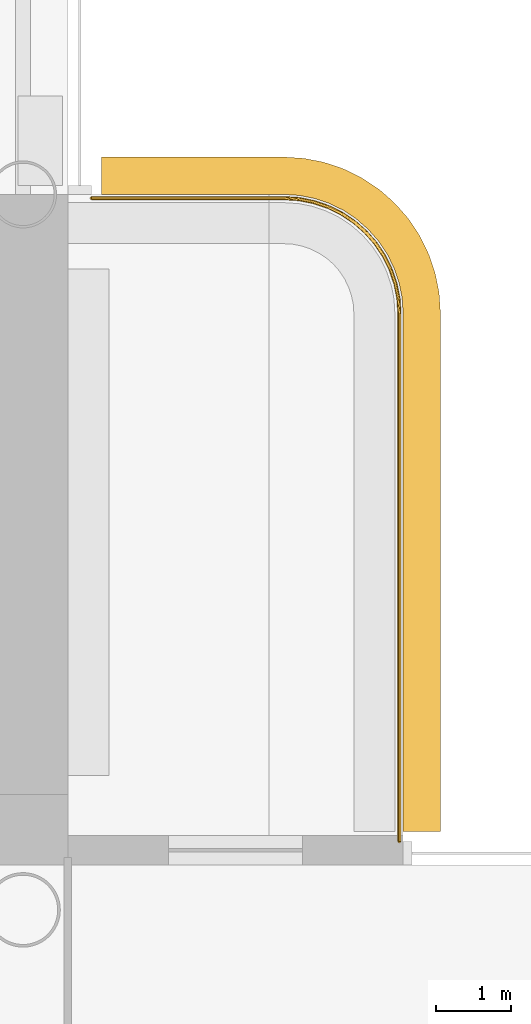
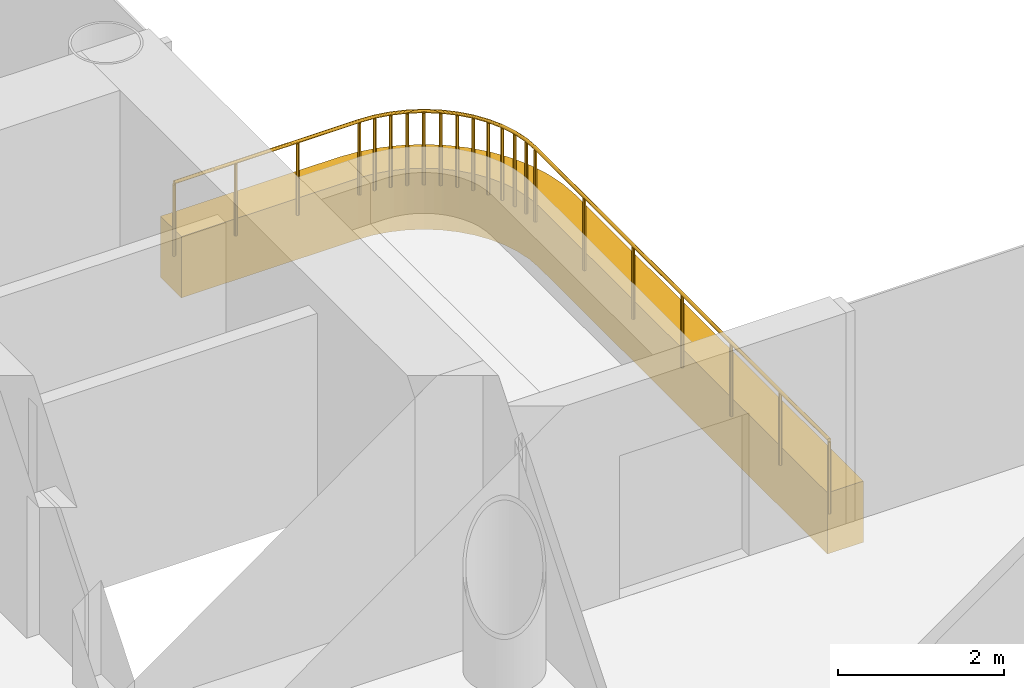
# One storey, part 20 of 21: 1 covering, 1 railing.
"""IFC4 building model written with IfcOpenShell, lengths in metres."""

from ifc_helpers import new_model, si_unit, direction, frame, origin, origin_2d, place, context, subcontext, project, spatial, polyline, circle, outline, extrude, material, layer, layer_set, type_object, element, save


model = new_model("IFC4")

# Units and contexts
model_context = context("Model", 3, precision=1e-05, world=origin(), true_north=direction((0.0, 1.0)))
body_context = subcontext(model_context, "Body", "Model", "MODEL_VIEW")
ifc_project = project(units=[si_unit("LENGTHUNIT", "METRE"), si_unit("AREAUNIT", "SQUARE_METRE"), si_unit("VOLUMEUNIT", "CUBIC_METRE"), si_unit("PLANEANGLEUNIT", "RADIAN"), si_unit("MASSUNIT", "GRAM", prefix="KILO")], contexts=[model_context])

# Site, building, storey
site_placement = place(None, origin())
site = spatial("IfcSite", under=ifc_project, at=site_placement, CompositionType="ELEMENT")
building_placement = place(site_placement, origin())
building = spatial("IfcBuilding", under=site, at=building_placement, Name="Ipe Terrace Towers", CompositionType="ELEMENT")
storey_placement = place(building_placement, frame((0.0, 0.0, 97.0)))
storey = spatial("IfcBuildingStorey", under=building, at=storey_placement, Name="L26", CompositionType="ELEMENT", Elevation=97.0)

# Railing
ifc_material_1 = material(Name="Stainless steel S316", Category="steel")
railing_type = type_object("IfcRailingType", Name="GUARD 1100", PredefinedType="BALUSTRADE", material=ifc_material_1)
railing_placement = place(storey_placement, frame((47.199951171875, 7.070068359375, -0.02001953125)))
element("IfcRailing", 1, at=railing_placement, inside=storey, type_object=railing_type, Name="guard", PredefinedType="BALUSTRADE", context=body_context, shape_type="SweptSolid", body=[
    extrude(circle(Radius=0.02392578125, at=origin_2d()), frame((0.0, 0.0, 1.076171875), z_axis=(0.0, 1.0, 0.0), x_axis=(-1.0, 0.0, 0.0)), (0.0, 0.0, 1.0), 7.077880859375),
    extrude(circle(Radius=0.02392578125, at=origin_2d()), frame((0.0, 7.077880859375, 1.076171875), z_axis=(-0.063270109204, 0.997996439513, 0.0), x_axis=(-0.997996439513, -0.063270109204, 0.0)), (0.0, 0.0, 1.0), 0.20458984375),
    extrude(circle(Radius=0.02392578125, at=origin_2d()), frame((-0.012939453125, 7.281982421875, 1.076171875), z_axis=(-0.197272615832, 0.980348670139, 0.0), x_axis=(-0.980348670139, -0.197272615832, 0.0)), (0.0, 0.0, 1.0), 0.202880859375),
    extrude(circle(Radius=0.02392578125, at=origin_2d()), frame((-0.052978515625, 7.48095703125, 1.076171875), z_axis=(-0.320562904618, 0.947227229435, 0.0), x_axis=(-0.947227229435, -0.320562904618, 0.0)), (0.0, 0.0, 1.0), 0.20263671875),
    extrude(circle(Radius=0.02392578125, at=origin_2d()), frame((-0.117919921875, 7.6728515625, 1.076171875), z_axis=(-0.443364567466, 0.896341374877, 0.0), x_axis=(-0.896341374877, -0.443364567466, 0.0)), (0.0, 0.0, 1.0), 0.203125),
    extrude(circle(Radius=0.02392578125, at=origin_2d()), frame((-0.2080078125, 7.85498046875, 1.076171875), z_axis=(-0.552753344103, 0.833344910936, 0.0), x_axis=(-0.833344910936, -0.552753344103, 0.0)), (0.0, 0.0, 1.0), 0.20263671875),
    extrude(circle(Radius=0.02392578125, at=origin_2d()), frame((-0.320068359375, 8.02392578125, 1.076171875), z_axis=(-0.660464863827, 0.750856952854, 0.0), x_axis=(-0.750856952854, -0.660464863827, 0.0)), (0.0, 0.0, 1.0), 0.20263671875),
    extrude(circle(Radius=0.02392578125, at=origin_2d()), frame((-0.453857421875, 8.176025390625, 1.076171875), z_axis=(-0.750856952854, 0.660464863827, 0.0), x_axis=(-0.660464863827, -0.750856952854, 0.0)), (0.0, 0.0, 1.0), 0.20263671875),
    extrude(circle(Radius=0.02392578125, at=origin_2d()), frame((-0.60595703125, 8.309814453125, 1.076171875), z_axis=(-0.833344910936, 0.552753344103, 0.0), x_axis=(-0.552753344103, -0.833344910936, 0.0)), (0.0, 0.0, 1.0), 0.20263671875),
    extrude(circle(Radius=0.02392578125, at=origin_2d()), frame((-0.77490234375, 8.421875, 1.076171875), z_axis=(-0.896341374877, 0.443364567466, 0.0), x_axis=(-0.443364567466, -0.896341374877, 0.0)), (0.0, 0.0, 1.0), 0.203125),
    extrude(circle(Radius=0.02392578125, at=origin_2d()), frame((-0.95703125, 8.511962890625, 1.076171875), z_axis=(-0.947227229435, 0.320562904618, 0.0), x_axis=(-0.320562904618, -0.947227229435, 0.0)), (0.0, 0.0, 1.0), 0.20263671875),
    extrude(circle(Radius=0.02392578125, at=origin_2d()), frame((-1.14892578125, 8.576904296875, 1.076171875), z_axis=(-0.980348670139, 0.197272615832, 0.0), x_axis=(-0.197272615832, -0.980348670139, 0.0)), (0.0, 0.0, 1.0), 0.202880859375),
    extrude(circle(Radius=0.02392578125, at=origin_2d()), frame((-1.347900390625, 8.616943359375, 1.076171875), z_axis=(-0.997996439513, 0.063270109204, 0.0), x_axis=(-0.063270109204, -0.997996439513, 0.0)), (0.0, 0.0, 1.0), 0.20458984375),
    extrude(circle(Radius=0.02392578125, at=origin_2d()), frame((-1.552001953125, 8.6298828125, 1.076171875), z_axis=(-1.0, 0.0, 0.0), x_axis=(0.0, -1.0, 0.0)), (0.0, 0.0, 1.0), 2.577880859375),
    extrude(circle(Radius=0.02099609375, at=origin_2d()), origin(), (0.0, 0.0, 1.0), 1.052001953125),
    extrude(circle(Radius=0.02099609375, at=origin_2d()), frame((0.0, 1.1796875, 0.0)), (0.0, 0.0, 1.0), 1.052001953125),
    extrude(circle(Radius=0.02099609375, at=origin_2d()), frame((0.0, 2.359375, 0.0)), (0.0, 0.0, 1.0), 1.052001953125),
    extrude(circle(Radius=0.02099609375, at=origin_2d()), frame((0.0, 3.5390625, 0.0)), (0.0, 0.0, 1.0), 1.052001953125),
    extrude(circle(Radius=0.02099609375, at=origin_2d()), frame((0.0, 4.718505859375, 0.0)), (0.0, 0.0, 1.0), 1.052001953125),
    extrude(circle(Radius=0.02099609375, at=origin_2d()), frame((0.0, 5.898193359375, 0.0)), (0.0, 0.0, 1.0), 1.052001953125),
    extrude(circle(Radius=0.02099609375, at=origin_2d()), frame((0.0, 7.077880859375, 0.0)), (0.0, 0.0, 1.0), 1.052001953125),
    extrude(circle(Radius=0.02099609375, at=origin_2d()), frame((-0.012939453125, 7.281982421875, 0.0)), (0.0, 0.0, 1.0), 1.052001953125),
    extrude(circle(Radius=0.02099609375, at=origin_2d()), frame((-0.052978515625, 7.48095703125, 0.0)), (0.0, 0.0, 1.0), 1.052001953125),
    extrude(circle(Radius=0.02099609375, at=origin_2d()), frame((-0.117919921875, 7.6728515625, 0.0)), (0.0, 0.0, 1.0), 1.052001953125),
    extrude(circle(Radius=0.02099609375, at=origin_2d()), frame((-0.2080078125, 7.85498046875, 0.0)), (0.0, 0.0, 1.0), 1.052001953125),
    extrude(circle(Radius=0.02099609375, at=origin_2d()), frame((-0.320068359375, 8.02392578125, 0.0)), (0.0, 0.0, 1.0), 1.052001953125),
    extrude(circle(Radius=0.02099609375, at=origin_2d()), frame((-0.453857421875, 8.176025390625, 0.0)), (0.0, 0.0, 1.0), 1.052001953125),
    extrude(circle(Radius=0.02099609375, at=origin_2d()), frame((-0.60595703125, 8.309814453125, 0.0)), (0.0, 0.0, 1.0), 1.052001953125),
    extrude(circle(Radius=0.02099609375, at=origin_2d()), frame((-0.77490234375, 8.421875, 0.0)), (0.0, 0.0, 1.0), 1.052001953125),
    extrude(circle(Radius=0.02099609375, at=origin_2d()), frame((-0.95703125, 8.511962890625, 0.0)), (0.0, 0.0, 1.0), 1.052001953125),
    extrude(circle(Radius=0.02099609375, at=origin_2d()), frame((-1.14892578125, 8.576904296875, 0.0)), (0.0, 0.0, 1.0), 1.052001953125),
    extrude(circle(Radius=0.02099609375, at=origin_2d()), frame((-1.347900390625, 8.616943359375, 0.0)), (0.0, 0.0, 1.0), 1.052001953125),
    extrude(circle(Radius=0.02099609375, at=origin_2d()), frame((-1.552001953125, 8.6298828125, 0.0)), (0.0, 0.0, 1.0), 1.052001953125),
    extrude(circle(Radius=0.02099609375, at=origin_2d()), frame((-2.411376953125, 8.6298828125, 0.0)), (0.0, 0.0, 1.0), 1.052001953125),
    extrude(circle(Radius=0.02099609375, at=origin_2d()), frame((-3.2705078125, 8.6298828125, 0.0)), (0.0, 0.0, 1.0), 1.052001953125),
    extrude(circle(Radius=0.02099609375, at=origin_2d()), frame((-4.1298828125, 8.6298828125, 0.0)), (0.0, 0.0, 1.0), 1.052001953125),
])

# Covering
ifc_material_2 = material(Name="Concrete C50/60 precast, buff finish", Category="concrete")
ifc_layer = layer(ifc_material_2, 0.5)
ifc_layer_set = layer_set([ifc_layer], Name="STONE EDGE BAND 500 x 900")
covering_type = type_object("IfcCoveringType", Name="STONE EDGE BAND 500 x 900", PredefinedType="CLADDING", material=ifc_layer_set)
covering_placement = place(storey_placement, frame((0.0, 0.0, -0.719970703125)))
element("IfcCovering", 2, at=covering_placement, inside=storey, type_object=covering_type, Name="stone edge band", PredefinedType="CLADDING", context=body_context, shape_type="SweptSolid", body=[
    extrude(outline(polyline([(47.75, 14.14990234375), (47.7490234375, 14.18310546875), (47.735107421875, 14.39208984375), (47.72705078125, 14.4560546875), (47.68603515625, 14.662109375), (47.6689453125, 14.72509765625), (47.60205078125, 14.923095703125), (47.576904296875, 14.98291015625), (47.48388671875, 15.1708984375), (47.450927734375, 15.22802734375), (47.3349609375, 15.402099609375), (47.294921875, 15.4541015625), (47.156982421875, 15.611083984375), (47.111083984375, 15.656982421875), (46.9541015625, 15.794921875), (46.902099609375, 15.8349609375), (46.72802734375, 15.950927734375), (46.6708984375, 15.98388671875), (46.48291015625, 16.076904296875), (46.423095703125, 16.10205078125), (46.22509765625, 16.1689453125), (46.162109375, 16.18603515625), (45.9560546875, 16.22705078125), (45.89208984375, 16.235107421875), (45.68310546875, 16.2490234375), (45.64990234375, 16.25), (43.199951171875, 16.25), (43.199951171875, 15.75), (45.64990234375, 15.75), (45.85888671875, 15.736083984375), (46.06396484375, 15.695068359375), (46.261962890625, 15.6279296875), (46.449951171875, 15.535888671875), (46.6240234375, 15.4189453125), (46.781005859375, 15.281005859375), (46.9189453125, 15.1240234375), (47.035888671875, 14.949951171875), (47.1279296875, 14.761962890625), (47.195068359375, 14.56396484375), (47.236083984375, 14.35888671875), (47.25, 14.14990234375), (47.25, 7.199951171875), (47.75, 7.199951171875), (47.75, 14.14990234375)])), origin(), (0.0, 0.0, 1.0), 0.89990234375),
])

save(model, "model.ifc")
